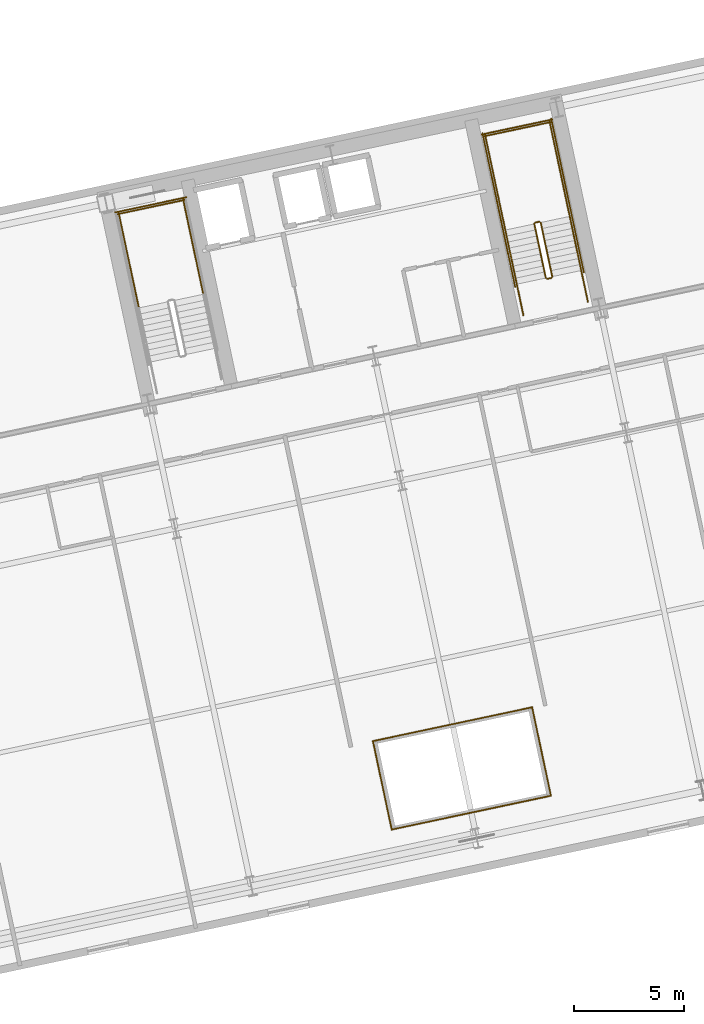
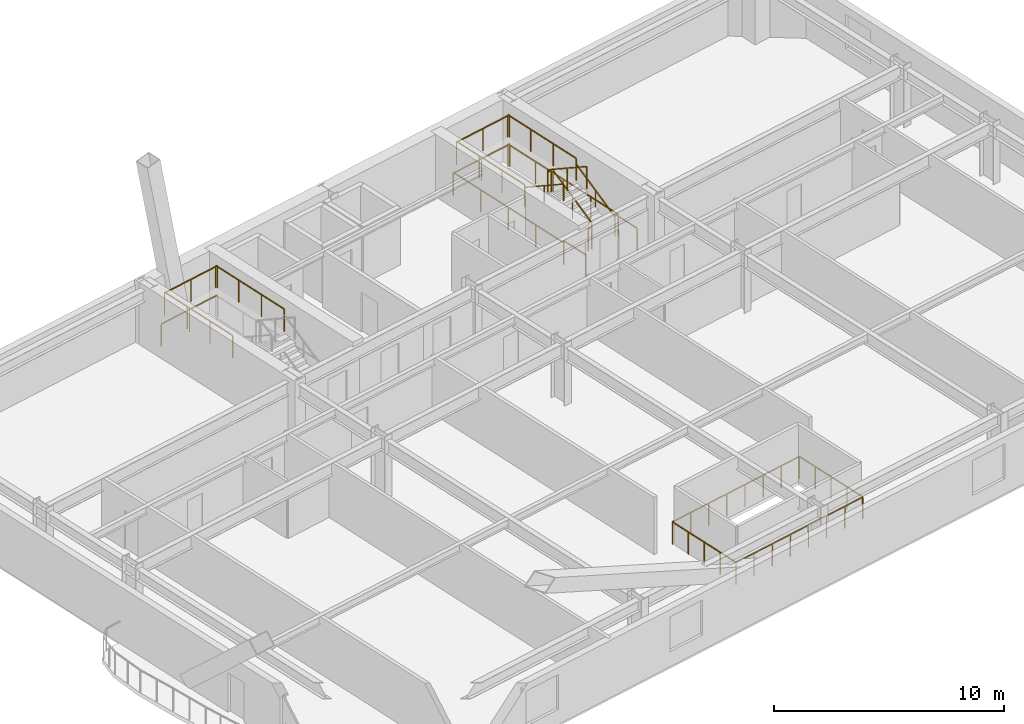
# One storey, part 16 of 17: 22 railings.
"""IFC4 building model written with IfcOpenShell, lengths in metres."""

from ifc_helpers import new_model, si_unit, direction, frame, origin, origin_2d, place, context, subcontext, project, spatial, rectangle, extrude, material, type_object, element, save


model = new_model("IFC4")

# Units and contexts
model_context = context("Model", 3, precision=1e-05, world=origin(), true_north=direction((0.0, 1.0)))
body_context = subcontext(model_context, "Body", "Model", "MODEL_VIEW")
ifc_project = project(units=[si_unit("LENGTHUNIT", "METRE"), si_unit("AREAUNIT", "SQUARE_METRE"), si_unit("VOLUMEUNIT", "CUBIC_METRE"), si_unit("PLANEANGLEUNIT", "RADIAN"), si_unit("MASSUNIT", "GRAM", prefix="KILO")], contexts=[model_context])

# Site, building, storey
site_placement = place(None, origin())
site = spatial("IfcSite", under=ifc_project, at=site_placement, CompositionType="ELEMENT")
building_placement = place(site_placement, origin())
building = spatial("IfcBuilding", under=site, at=building_placement, Name="Haevon Station Towers", CompositionType="ELEMENT")
storey_placement = place(building_placement, frame((0.0, 0.0, 40.5)))
storey = spatial("IfcBuildingStorey", under=building, at=storey_placement, Name="L09", CompositionType="ELEMENT", Elevation=40.5)

# Railings
ifc_material = material(Name="Steel S355", Category="steel")
railing_type_1 = type_object("IfcRailingType", Name="BAL-ATR1200", PredefinedType="BALUSTRADE", material=ifc_material)
railing_1_placement = place(storey_placement, frame((109.81884765625, 18.0615234375, 0.0)))
element("IfcRailing", 1, at=railing_1_placement, inside=storey, type_object=railing_type_1, Name="L09 Atrium Void Balustrade 1", PredefinedType="BALUSTRADE", context=body_context, shape_type="SweptSolid", body=[
    extrude(rectangle(XDim=0.048095703125, YDim=0.048095703125, at=origin_2d()), frame((0.0, 0.0, 1.17578125), z_axis=(0.978148717371, 0.207906437384, 0.0), x_axis=(-0.207906437384, 0.978148717371, 0.0)), (0.0, 0.0, 1.0), 7.40966796875),
    extrude(rectangle(XDim=0.0419921875, YDim=0.0419921875, at=origin_2d()), origin(), (0.0, 0.0, 1.0), 1.15185546875),
    extrude(rectangle(XDim=0.0419921875, YDim=0.0419921875, at=origin_2d()), frame((1.035400390625, 0.219970703125, 0.0)), (0.0, 0.0, 1.0), 1.15185546875),
    extrude(rectangle(XDim=0.0419921875, YDim=0.0419921875, at=origin_2d()), frame((2.07080078125, 0.440185546875, 0.0)), (0.0, 0.0, 1.0), 1.15185546875),
    extrude(rectangle(XDim=0.0419921875, YDim=0.0419921875, at=origin_2d()), frame((3.106201171875, 0.66015625, 0.0)), (0.0, 0.0, 1.0), 1.15185546875),
    extrude(rectangle(XDim=0.0419921875, YDim=0.0419921875, at=origin_2d()), frame((4.1416015625, 0.88037109375, 0.0)), (0.0, 0.0, 1.0), 1.15185546875),
    extrude(rectangle(XDim=0.0419921875, YDim=0.0419921875, at=origin_2d()), frame((5.177001953125, 1.100341796875, 0.0)), (0.0, 0.0, 1.0), 1.15185546875),
    extrude(rectangle(XDim=0.0419921875, YDim=0.0419921875, at=origin_2d()), frame((6.21240234375, 1.320556640625, 0.0)), (0.0, 0.0, 1.0), 1.15185546875),
    extrude(rectangle(XDim=0.0419921875, YDim=0.0419921875, at=origin_2d()), frame((7.247802734375, 1.54052734375, 0.0)), (0.0, 0.0, 1.0), 1.15185546875),
])
railing_2_placement = place(storey_placement, frame((117.066650390625, 19.60205078125, 0.0)))
element("IfcRailing", 2, at=railing_2_placement, inside=storey, type_object=railing_type_1, Name="L09 Atrium Void Balustrade 2", PredefinedType="BALUSTRADE", context=body_context, shape_type="SweptSolid", body=[
    extrude(rectangle(XDim=0.048095703125, YDim=0.048095703125, at=origin_2d()), frame((0.0, 0.0, 1.17578125), z_axis=(-0.207928976297, 0.978143926432, 0.0), x_axis=(-0.978143926432, -0.207928976297, 0.0)), (0.0, 0.0, 1.0), 4.11669921875),
    extrude(rectangle(XDim=0.0419921875, YDim=0.0419921875, at=origin_2d()), origin(), (0.0, 0.0, 1.0), 1.15185546875),
    extrude(rectangle(XDim=0.0419921875, YDim=0.0419921875, at=origin_2d()), frame((-0.2138671875, 1.006591796875, 0.0)), (0.0, 0.0, 1.0), 1.15185546875),
    extrude(rectangle(XDim=0.0419921875, YDim=0.0419921875, at=origin_2d()), frame((-0.427978515625, 2.01318359375, 0.0)), (0.0, 0.0, 1.0), 1.15185546875),
    extrude(rectangle(XDim=0.0419921875, YDim=0.0419921875, at=origin_2d()), frame((-0.64208984375, 3.02001953125, 0.0)), (0.0, 0.0, 1.0), 1.15185546875),
    extrude(rectangle(XDim=0.0419921875, YDim=0.0419921875, at=origin_2d()), frame((-0.85595703125, 4.026611328125, 0.0)), (0.0, 0.0, 1.0), 1.15185546875),
])
railing_3_placement = place(storey_placement, frame((116.210693359375, 23.628662109375, 0.0)))
element("IfcRailing", 3, at=railing_3_placement, inside=storey, type_object=railing_type_1, Name="L09 Atrium Void Balustrade 3", PredefinedType="BALUSTRADE", context=body_context, shape_type="SweptSolid", body=[
    extrude(rectangle(XDim=0.048095703125, YDim=0.048095703125, at=origin_2d()), frame((0.0, 0.0, 1.17578125), z_axis=(-0.978148717371, -0.207906437384, 0.0), x_axis=(0.207906437384, -0.978148717371, 0.0)), (0.0, 0.0, 1.0), 7.40966796875),
    extrude(rectangle(XDim=0.0419921875, YDim=0.0419921875, at=origin_2d()), origin(), (0.0, 0.0, 1.0), 1.15185546875),
    extrude(rectangle(XDim=0.0419921875, YDim=0.0419921875, at=origin_2d()), frame((-1.035400390625, -0.219970703125, 0.0)), (0.0, 0.0, 1.0), 1.15185546875),
    extrude(rectangle(XDim=0.0419921875, YDim=0.0419921875, at=origin_2d()), frame((-2.07080078125, -0.440185546875, 0.0)), (0.0, 0.0, 1.0), 1.15185546875),
    extrude(rectangle(XDim=0.0419921875, YDim=0.0419921875, at=origin_2d()), frame((-3.106201171875, -0.66015625, 0.0)), (0.0, 0.0, 1.0), 1.15185546875),
    extrude(rectangle(XDim=0.0419921875, YDim=0.0419921875, at=origin_2d()), frame((-4.1416015625, -0.88037109375, 0.0)), (0.0, 0.0, 1.0), 1.15185546875),
    extrude(rectangle(XDim=0.0419921875, YDim=0.0419921875, at=origin_2d()), frame((-5.177001953125, -1.100341796875, 0.0)), (0.0, 0.0, 1.0), 1.15185546875),
    extrude(rectangle(XDim=0.0419921875, YDim=0.0419921875, at=origin_2d()), frame((-6.21240234375, -1.320556640625, 0.0)), (0.0, 0.0, 1.0), 1.15185546875),
    extrude(rectangle(XDim=0.0419921875, YDim=0.0419921875, at=origin_2d()), frame((-7.247802734375, -1.54052734375, 0.0)), (0.0, 0.0, 1.0), 1.15185546875),
])
railing_4_placement = place(storey_placement, frame((108.962890625, 22.088134765625, 0.0)))
element("IfcRailing", 4, at=railing_4_placement, inside=storey, type_object=railing_type_1, Name="L09 Atrium Void Balustrade 4", PredefinedType="BALUSTRADE", context=body_context, shape_type="SweptSolid", body=[
    extrude(rectangle(XDim=0.048095703125, YDim=0.048095703125, at=origin_2d()), frame((0.0, 0.0, 1.17578125), z_axis=(0.207928976297, -0.978143926432, 0.0), x_axis=(0.978143926432, 0.207928976297, 0.0)), (0.0, 0.0, 1.0), 4.11669921875),
    extrude(rectangle(XDim=0.0419921875, YDim=0.0419921875, at=origin_2d()), origin(), (0.0, 0.0, 1.0), 1.15185546875),
    extrude(rectangle(XDim=0.0419921875, YDim=0.0419921875, at=origin_2d()), frame((0.2138671875, -1.006591796875, 0.0)), (0.0, 0.0, 1.0), 1.15185546875),
    extrude(rectangle(XDim=0.0419921875, YDim=0.0419921875, at=origin_2d()), frame((0.427978515625, -2.01318359375, 0.0)), (0.0, 0.0, 1.0), 1.15185546875),
    extrude(rectangle(XDim=0.0419921875, YDim=0.0419921875, at=origin_2d()), frame((0.64208984375, -3.02001953125, 0.0)), (0.0, 0.0, 1.0), 1.15185546875),
    extrude(rectangle(XDim=0.0419921875, YDim=0.0419921875, at=origin_2d()), frame((0.85595703125, -4.026611328125, 0.0)), (0.0, 0.0, 1.0), 1.15185546875),
])
railing_type_2 = type_object("IfcRailingType", Name="GRD-STR1200", PredefinedType="GUARDRAIL", material=ifc_material)
railing_5_placement = place(storey_placement, frame((101.238037109375, 42.4384765625, 1.64990234375)))
element("IfcRailing", 5, at=railing_5_placement, inside=storey, type_object=railing_type_2, Name="L09 ST3 Stair Guard 3", PredefinedType="GUARDRAIL", context=body_context, shape_type="SweptSolid", body=[
    extrude(rectangle(XDim=0.048095703125, YDim=0.048095703125, at=origin_2d()), frame((0.0, 0.0, 1.17578125), z_axis=(-0.20794048909, 0.978141479029, 0.0), x_axis=(-0.978141479029, -0.20794048909, 0.0)), (0.0, 0.0, 1.0), 4.429931640625),
    extrude(rectangle(XDim=0.0419921875, YDim=0.0419921875, at=origin_2d()), origin(), (0.0, 0.0, 1.0), 1.15185546875),
    extrude(rectangle(XDim=0.0419921875, YDim=0.0419921875, at=origin_2d()), frame((-0.30712890625, 1.4443359375, 0.0)), (0.0, 0.0, 1.0), 1.15185546875),
    extrude(rectangle(XDim=0.0419921875, YDim=0.0419921875, at=origin_2d()), frame((-0.614013671875, 2.888671875, 0.0)), (0.0, 0.0, 1.0), 1.15185546875),
    extrude(rectangle(XDim=0.0419921875, YDim=0.0419921875, at=origin_2d()), frame((-0.921142578125, 4.3330078125, 0.0)), (0.0, 0.0, 1.0), 1.15185546875),
])
railing_6_placement = place(storey_placement, frame((98.303466796875, 41.814697265625, 1.64990234375)))
element("IfcRailing", 6, at=railing_6_placement, inside=storey, type_object=railing_type_2, Name="L09 ST3 Stair Guard 4", PredefinedType="GUARDRAIL", context=body_context, shape_type="SweptSolid", body=[
    extrude(rectangle(XDim=0.048095703125, YDim=0.048095703125, at=origin_2d()), frame((0.0, 0.0, 1.17578125), z_axis=(-0.207876551949, 0.978155069071, 0.0), x_axis=(-0.978155069071, -0.207876551949, 0.0)), (0.0, 0.0, 1.0), 4.429931640625),
    extrude(rectangle(XDim=0.0419921875, YDim=0.0419921875, at=origin_2d()), origin(), (0.0, 0.0, 1.0), 1.15185546875),
    extrude(rectangle(XDim=0.0419921875, YDim=0.0419921875, at=origin_2d()), frame((-0.306884765625, 1.4443359375, 0.0)), (0.0, 0.0, 1.0), 1.15185546875),
    extrude(rectangle(XDim=0.0419921875, YDim=0.0419921875, at=origin_2d()), frame((-0.614013671875, 2.888916015625, 0.0)), (0.0, 0.0, 1.0), 1.15185546875),
    extrude(rectangle(XDim=0.0419921875, YDim=0.0419921875, at=origin_2d()), frame((-0.9208984375, 4.333251953125, 0.0)), (0.0, 0.0, 1.0), 1.15185546875),
])
railing_7_placement = place(storey_placement, frame((100.376220703125, 46.733154296875, 1.64990234375)))
element("IfcRailing", 7, at=railing_7_placement, inside=storey, type_object=railing_type_2, Name="L09 ST3 Stair Guard 5", PredefinedType="GUARDRAIL", context=body_context, shape_type="SweptSolid", body=[
    extrude(rectangle(XDim=0.048095703125, YDim=0.048095703125, at=origin_2d()), frame((0.0, 0.0, 1.17578125), z_axis=(-0.978146839882, -0.207915270313, 0.0), x_axis=(0.207915270313, -0.978146839882, 0.0)), (0.0, 0.0, 1.0), 3.099853515625),
    extrude(rectangle(XDim=0.0419921875, YDim=0.0419921875, at=origin_2d()), origin(), (0.0, 0.0, 1.0), 1.15185546875),
    extrude(rectangle(XDim=0.0419921875, YDim=0.0419921875, at=origin_2d()), frame((-1.51611328125, -0.322265625, 0.0)), (0.0, 0.0, 1.0), 1.15185546875),
    extrude(rectangle(XDim=0.0419921875, YDim=0.0419921875, at=origin_2d()), frame((-3.0322265625, -0.64453125, 0.0)), (0.0, 0.0, 1.0), 1.15185546875),
])
railing_8_placement = place(storey_placement, frame((100.453125, 46.8515625, 0.0)))
element("IfcRailing", 8, at=railing_8_placement, inside=storey, type_object=railing_type_2, Name="L09 ST3 Stair Guard 12", PredefinedType="GUARDRAIL", context=body_context, shape_type="SweptSolid", body=[
    extrude(rectangle(XDim=0.048095703125, YDim=0.048095703125, at=origin_2d()), frame((0.0, 0.0, 1.17578125), z_axis=(-0.978150764849, -0.207896804268, 0.0), x_axis=(0.207896804268, -0.978150764849, 0.0)), (0.0, 0.0, 1.0), 3.2998046875),
    extrude(rectangle(XDim=0.0419921875, YDim=0.0419921875, at=origin_2d()), origin(), (0.0, 0.0, 1.0), 1.15185546875),
    extrude(rectangle(XDim=0.0419921875, YDim=0.0419921875, at=origin_2d()), frame((-1.61376953125, -0.343017578125, 0.0)), (0.0, 0.0, 1.0), 1.15185546875),
    extrude(rectangle(XDim=0.0419921875, YDim=0.0419921875, at=origin_2d()), frame((-3.227783203125, -0.68603515625, 0.0)), (0.0, 0.0, 1.0), 1.15185546875),
])
railing_9_placement = place(storey_placement, frame((117.128662109375, 43.23974609375, 0.1650390625)))
element("IfcRailing", 9, at=railing_9_placement, inside=storey, type_object=railing_type_2, Name="L09 ST4 Stair Guard 1", PredefinedType="GUARDRAIL", context=body_context, shape_type="SweptSolid", body=[
    extrude(rectangle(XDim=0.048095703125, YDim=0.048095703125, at=origin_2d()), frame((0.0, 0.0, 1.17578125), z_axis=(-0.179128856099, 0.842723639875, 0.507670877349), x_axis=(-0.978147030254, -0.207914374695, 0.0)), (0.0, 0.0, 1.0), 2.9248046875),
    extrude(rectangle(XDim=0.0419921875, YDim=0.0419921875, at=origin_2d()), origin(), (0.0, 0.0, 1.0), 1.15185546875),
    extrude(rectangle(XDim=0.0419921875, YDim=0.0419921875, at=origin_2d()), frame((-0.261962890625, 1.232421875, 0.742431640625)), (0.0, 0.0, 1.0), 1.15185546875),
    extrude(rectangle(XDim=0.0419921875, YDim=0.0419921875, at=origin_2d()), frame((-0.52392578125, 2.46484375, 1.48486328125)), (0.0, 0.0, 1.0), 1.15185546875),
])
railing_10_placement = place(storey_placement, frame((116.54541015625, 45.7431640625, 1.64990234375)))
element("IfcRailing", 10, at=railing_10_placement, inside=storey, type_object=railing_type_2, Name="L09 ST4 Stair Guard 2", PredefinedType="GUARDRAIL", context=body_context, shape_type="SweptSolid", body=[
    extrude(rectangle(XDim=0.048095703125, YDim=0.048095703125, at=origin_2d()), frame((0.0, 0.0, 1.17578125), z_axis=(-0.97826412705, -0.207362720198, 0.0), x_axis=(0.207362720198, -0.97826412705, 0.0)), (0.0, 0.0, 1.0), 0.2001953125),
    extrude(rectangle(XDim=0.0419921875, YDim=0.0419921875, at=origin_2d()), origin(), (0.0, 0.0, 1.0), 1.15185546875),
    extrude(rectangle(XDim=0.0419921875, YDim=0.0419921875, at=origin_2d()), frame((-0.19580078125, -0.04150390625, 0.0)), (0.0, 0.0, 1.0), 1.15185546875),
])
railing_11_placement = place(storey_placement, frame((117.925048828125, 45.9853515625, 1.64990234375)))
element("IfcRailing", 11, at=railing_11_placement, inside=storey, type_object=railing_type_2, Name="L09 ST4 Stair Guard 3", PredefinedType="GUARDRAIL", context=body_context, shape_type="SweptSolid", body=[
    extrude(rectangle(XDim=0.048095703125, YDim=0.048095703125, at=origin_2d()), frame((0.0, 0.0, 1.17578125), z_axis=(-0.207876551949, 0.978155069071, 0.0), x_axis=(-0.978155069071, -0.207876551949, 0.0)), (0.0, 0.0, 1.0), 4.429931640625),
    extrude(rectangle(XDim=0.0419921875, YDim=0.0419921875, at=origin_2d()), origin(), (0.0, 0.0, 1.0), 1.15185546875),
    extrude(rectangle(XDim=0.0419921875, YDim=0.0419921875, at=origin_2d()), frame((-0.306884765625, 1.4443359375, 0.0)), (0.0, 0.0, 1.0), 1.15185546875),
    extrude(rectangle(XDim=0.0419921875, YDim=0.0419921875, at=origin_2d()), frame((-0.614013671875, 2.888916015625, 0.0)), (0.0, 0.0, 1.0), 1.15185546875),
    extrude(rectangle(XDim=0.0419921875, YDim=0.0419921875, at=origin_2d()), frame((-0.9208984375, 4.333251953125, 0.0)), (0.0, 0.0, 1.0), 1.15185546875),
])
railing_12_placement = place(storey_placement, frame((114.99072265625, 45.361572265625, 1.64990234375)))
element("IfcRailing", 12, at=railing_12_placement, inside=storey, type_object=railing_type_2, Name="L09 ST4 Stair Guard 4", PredefinedType="GUARDRAIL", context=body_context, shape_type="SweptSolid", body=[
    extrude(rectangle(XDim=0.048095703125, YDim=0.048095703125, at=origin_2d()), frame((0.0, 0.0, 1.17578125), z_axis=(-0.207929280007, 0.978143861871, 0.0), x_axis=(-0.978143861871, -0.207929280007, 0.0)), (0.0, 0.0, 1.0), 4.43017578125),
    extrude(rectangle(XDim=0.0419921875, YDim=0.0419921875, at=origin_2d()), origin(), (0.0, 0.0, 1.0), 1.15185546875),
    extrude(rectangle(XDim=0.0419921875, YDim=0.0419921875, at=origin_2d()), frame((-0.30712890625, 1.4443359375, 0.0)), (0.0, 0.0, 1.0), 1.15185546875),
    extrude(rectangle(XDim=0.0419921875, YDim=0.0419921875, at=origin_2d()), frame((-0.614013671875, 2.888916015625, 0.0)), (0.0, 0.0, 1.0), 1.15185546875),
    extrude(rectangle(XDim=0.0419921875, YDim=0.0419921875, at=origin_2d()), frame((-0.921142578125, 4.333251953125, 0.0)), (0.0, 0.0, 1.0), 1.15185546875),
])
railing_13_placement = place(storey_placement, frame((117.0634765625, 50.280029296875, 1.64990234375)))
element("IfcRailing", 13, at=railing_13_placement, inside=storey, type_object=railing_type_2, Name="L09 ST4 Stair Guard 5", PredefinedType="GUARDRAIL", context=body_context, shape_type="SweptSolid", body=[
    extrude(rectangle(XDim=0.048095703125, YDim=0.048095703125, at=origin_2d()), frame((0.0, 0.0, 1.17578125), z_axis=(-0.978146839882, -0.207915270313, 0.0), x_axis=(0.207915270313, -0.978146839882, 0.0)), (0.0, 0.0, 1.0), 3.099853515625),
    extrude(rectangle(XDim=0.0419921875, YDim=0.0419921875, at=origin_2d()), origin(), (0.0, 0.0, 1.0), 1.15185546875),
    extrude(rectangle(XDim=0.0419921875, YDim=0.0419921875, at=origin_2d()), frame((-1.51611328125, -0.322265625, 0.0)), (0.0, 0.0, 1.0), 1.15185546875),
    extrude(rectangle(XDim=0.0419921875, YDim=0.0419921875, at=origin_2d()), frame((-3.0322265625, -0.64453125, 0.0)), (0.0, 0.0, 1.0), 1.15185546875),
])
railing_14_placement = place(storey_placement, frame((116.311279296875, 45.642333984375, 1.81494140625)))
element("IfcRailing", 14, at=railing_14_placement, inside=storey, type_object=railing_type_2, Name="L09 ST4 Stair Guard 6", PredefinedType="GUARDRAIL", context=body_context, shape_type="SweptSolid", body=[
    extrude(rectangle(XDim=0.048095703125, YDim=0.048095703125, at=origin_2d()), frame((0.0, 0.0, 1.17578125), z_axis=(0.179108667068, -0.842712120868, 0.50769712105), x_axis=(0.978151217824, 0.207894673017, 0.0)), (0.0, 0.0, 1.0), 2.92529296875),
    extrude(rectangle(XDim=0.0419921875, YDim=0.0419921875, at=origin_2d()), origin(), (0.0, 0.0, 1.0), 1.15185546875),
    extrude(rectangle(XDim=0.0419921875, YDim=0.0419921875, at=origin_2d()), frame((0.261962890625, -1.232421875, 0.74267578125)), (0.0, 0.0, 1.0), 1.15185546875),
    extrude(rectangle(XDim=0.0419921875, YDim=0.0419921875, at=origin_2d()), frame((0.52392578125, -2.465087890625, 1.485107421875)), (0.0, 0.0, 1.0), 1.15185546875),
])
railing_15_placement = place(storey_placement, frame((117.090087890625, 43.180419921875, 0.0)))
element("IfcRailing", 15, at=railing_15_placement, inside=storey, type_object=railing_type_2, Name="L09 ST4 Stair Guard 7", PredefinedType="GUARDRAIL", context=body_context, shape_type="SweptSolid", body=[
    extrude(rectangle(XDim=0.048095703125, YDim=0.048095703125, at=origin_2d()), frame((0.0, 0.0, 1.17578125), z_axis=(-0.978211583308, -0.207610448392, 0.0), x_axis=(0.207610448392, -0.978211583308, 0.0)), (0.0, 0.0, 1.0), 0.199951171875),
    extrude(rectangle(XDim=0.0419921875, YDim=0.0419921875, at=origin_2d()), origin(), (0.0, 0.0, 1.0), 1.15185546875),
    extrude(rectangle(XDim=0.0419921875, YDim=0.0419921875, at=origin_2d()), frame((-0.195556640625, -0.04150390625, 0.0)), (0.0, 0.0, 1.0), 1.15185546875),
])
for number, where, name in (
    (16, (118.75048828125, 42.10205078125, 0.0), "L09 ST4 Stair Guard 8"),
    (17, (115.816162109375, 41.478271484375, 0.0), "L09 ST4 Stair Guard 9"),
):
    element("IfcRailing", number, at=place(storey_placement, frame(where)), inside=storey, type_object=railing_type_2, Name=name, PredefinedType="GUARDRAIL", context=body_context, shape_type="SweptSolid", body=[
        extrude(rectangle(XDim=0.048095703125, YDim=0.048095703125, at=origin_2d()), frame((0.0, 0.0, 1.17578125), z_axis=(-0.207919161079, 0.978146012851, 0.0), x_axis=(-0.978146012851, -0.207919161079, 0.0)), (0.0, 0.0, 1.0), 1.4501953125),
        extrude(rectangle(XDim=0.0419921875, YDim=0.0419921875, at=origin_2d()), origin(), (0.0, 0.0, 1.0), 1.15185546875),
        extrude(rectangle(XDim=0.0419921875, YDim=0.0419921875, at=origin_2d()), frame((-0.301513671875, 1.41845703125, 0.0)), (0.0, 0.0, 1.0), 1.15185546875),
    ])
railing_16_placement = place(storey_placement, frame((118.567626953125, 43.443359375, 0.0)))
element("IfcRailing", 18, at=railing_16_placement, inside=storey, type_object=railing_type_2, Name="L09 ST4 Stair Guard 10", PredefinedType="GUARDRAIL", context=body_context, shape_type="SweptSolid", body=[
    extrude(rectangle(XDim=0.048095703125, YDim=0.048095703125, at=origin_2d()), frame((0.0, 0.0, 1.17578125), z_axis=(-0.207908168386, 0.978148349443, 0.0), x_axis=(-0.978148349443, -0.207908168386, 0.0)), (0.0, 0.0, 1.0), 7.150146484375),
    extrude(rectangle(XDim=0.0419921875, YDim=0.0419921875, at=origin_2d()), origin(), (0.0, 0.0, 1.0), 1.15185546875),
    extrude(rectangle(XDim=0.0419921875, YDim=0.0419921875, at=origin_2d()), frame((-0.37158203125, 1.74853515625, 0.0)), (0.0, 0.0, 1.0), 1.15185546875),
    extrude(rectangle(XDim=0.0419921875, YDim=0.0419921875, at=origin_2d()), frame((-0.7431640625, 3.4970703125, 0.0)), (0.0, 0.0, 1.0), 1.15185546875),
    extrude(rectangle(XDim=0.0419921875, YDim=0.0419921875, at=origin_2d()), frame((-1.114990234375, 5.245361328125, 0.0)), (0.0, 0.0, 1.0), 1.15185546875),
    extrude(rectangle(XDim=0.0419921875, YDim=0.0419921875, at=origin_2d()), frame((-1.486572265625, 6.993896484375, 0.0)), (0.0, 0.0, 1.0), 1.15185546875),
])
railing_17_placement = place(storey_placement, frame((115.4375, 42.778076171875, 0.0)))
element("IfcRailing", 19, at=railing_17_placement, inside=storey, type_object=railing_type_2, Name="L09 ST4 Stair Guard 11", PredefinedType="GUARDRAIL", context=body_context, shape_type="SweptSolid", body=[
    extrude(rectangle(XDim=0.048095703125, YDim=0.048095703125, at=origin_2d()), frame((0.0, 0.0, 1.17578125), z_axis=(-0.207882442208, 0.978153817261, 0.0), x_axis=(-0.978153817261, -0.207882442208, 0.0)), (0.0, 0.0, 1.0), 7.14990234375),
    extrude(rectangle(XDim=0.0419921875, YDim=0.0419921875, at=origin_2d()), origin(), (0.0, 0.0, 1.0), 1.15185546875),
    extrude(rectangle(XDim=0.0419921875, YDim=0.0419921875, at=origin_2d()), frame((-0.37158203125, 1.74853515625, 0.0)), (0.0, 0.0, 1.0), 1.15185546875),
    extrude(rectangle(XDim=0.0419921875, YDim=0.0419921875, at=origin_2d()), frame((-0.7431640625, 3.496826171875, 0.0)), (0.0, 0.0, 1.0), 1.15185546875),
    extrude(rectangle(XDim=0.0419921875, YDim=0.0419921875, at=origin_2d()), frame((-1.11474609375, 5.2451171875, 0.0)), (0.0, 0.0, 1.0), 1.15185546875),
    extrude(rectangle(XDim=0.0419921875, YDim=0.0419921875, at=origin_2d()), frame((-1.486328125, 6.99365234375, 0.0)), (0.0, 0.0, 1.0), 1.15185546875),
])
railing_18_placement = place(storey_placement, frame((117.140380859375, 50.398681640625, 0.0)))
element("IfcRailing", 20, at=railing_18_placement, inside=storey, type_object=railing_type_2, Name="L09 ST4 Stair Guard 12", PredefinedType="GUARDRAIL", context=body_context, shape_type="SweptSolid", body=[
    extrude(rectangle(XDim=0.048095703125, YDim=0.048095703125, at=origin_2d()), frame((0.0, 0.0, 1.17578125), z_axis=(-0.978135717418, -0.207967589567, 0.0), x_axis=(0.207967589567, -0.978135717418, 0.0)), (0.0, 0.0, 1.0), 3.300048828125),
    extrude(rectangle(XDim=0.0419921875, YDim=0.0419921875, at=origin_2d()), origin(), (0.0, 0.0, 1.0), 1.15185546875),
    extrude(rectangle(XDim=0.0419921875, YDim=0.0419921875, at=origin_2d()), frame((-1.61376953125, -0.34326171875, 0.0)), (0.0, 0.0, 1.0), 1.15185546875),
    extrude(rectangle(XDim=0.0419921875, YDim=0.0419921875, at=origin_2d()), frame((-3.227783203125, -0.686279296875, 0.0)), (0.0, 0.0, 1.0), 1.15185546875),
])
railing_type_3 = type_object("IfcRailingType", Name="HND-STR900", PredefinedType="HANDRAIL", material=ifc_material)
railing_19_placement = place(storey_placement, frame((118.448974609375, 43.5205078125, 0.1650390625)))
element("IfcRailing", 21, at=railing_19_placement, inside=storey, type_object=railing_type_3, Name="L09 ST4 Stair Handrail 1", PredefinedType="HANDRAIL", context=body_context, shape_type="SweptSolid", body=[
    extrude(rectangle(XDim=0.048095703125, YDim=0.048095703125, at=origin_2d()), frame((0.0, 0.0, 0.8759765625), z_axis=(-0.179128856099, 0.842723639875, 0.507670877349), x_axis=(-0.978147030254, -0.207914374695, 0.0)), (0.0, 0.0, 1.0), 2.9248046875),
    extrude(rectangle(XDim=0.0419921875, YDim=0.0419921875, at=origin_2d()), origin(), (0.0, 0.0, 1.0), 0.851806640625),
    extrude(rectangle(XDim=0.0419921875, YDim=0.0419921875, at=origin_2d()), frame((-0.261962890625, 1.232421875, 0.742431640625)), (0.0, 0.0, 1.0), 0.851806640625),
    extrude(rectangle(XDim=0.0419921875, YDim=0.0419921875, at=origin_2d()), frame((-0.52392578125, 2.46484375, 1.48486328125)), (0.0, 0.0, 1.0), 0.851806640625),
])
railing_20_placement = place(storey_placement, frame((114.99072265625, 45.361572265625, 1.81494140625)))
element("IfcRailing", 22, at=railing_20_placement, inside=storey, type_object=railing_type_3, Name="L09 ST4 Stair Handrail 2", PredefinedType="HANDRAIL", context=body_context, shape_type="SweptSolid", body=[
    extrude(rectangle(XDim=0.048095703125, YDim=0.048095703125, at=origin_2d()), frame((0.0, 0.0, 0.8759765625), z_axis=(0.179121265225, -0.842687928106, 0.507732831485), x_axis=(0.978147030254, 0.207914374695, 0.0)), (0.0, 0.0, 1.0), 2.925048828125),
    extrude(rectangle(XDim=0.0419921875, YDim=0.0419921875, at=origin_2d()), origin(), (0.0, 0.0, 1.0), 0.851806640625),
    extrude(rectangle(XDim=0.0419921875, YDim=0.0419921875, at=origin_2d()), frame((0.261962890625, -1.232421875, 0.74267578125)), (0.0, 0.0, 1.0), 0.851806640625),
    extrude(rectangle(XDim=0.0419921875, YDim=0.0419921875, at=origin_2d()), frame((0.52392578125, -2.46484375, 1.485107421875)), (0.0, 0.0, 1.0), 0.851806640625),
])

save(model, "model.ifc")
